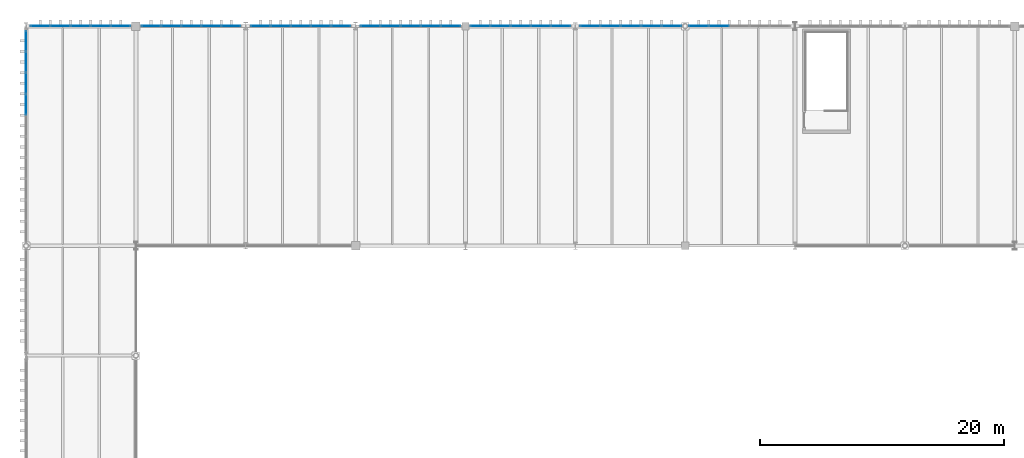
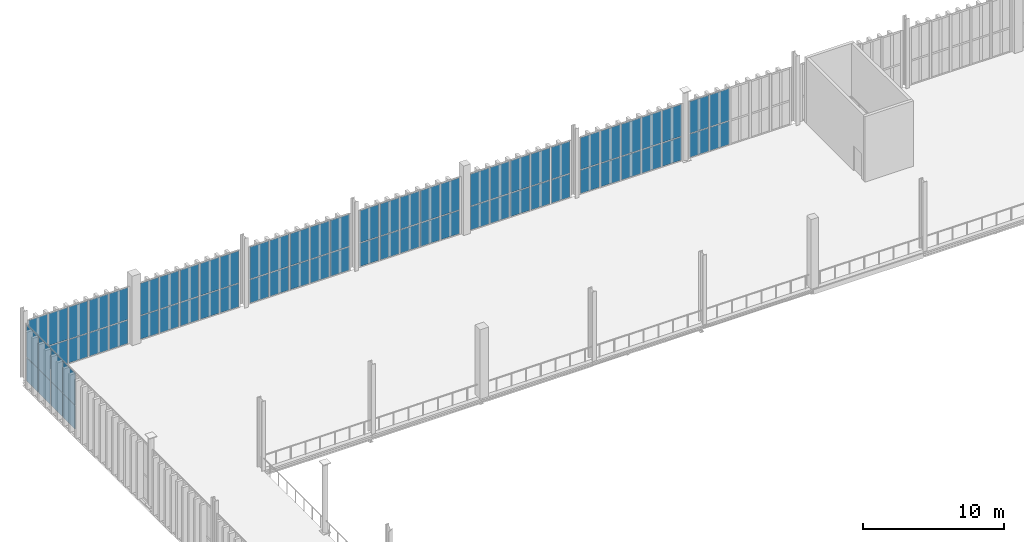
# One storey, part 167 of 211: 72 plates, 8 elements without a shape of their own.
"""IFC4 building model written with IfcOpenShell, lengths in metres."""

from ifc_helpers import new_model, si_unit, direction, frame, origin, origin_2d, place, context, subcontext, project, spatial, rectangle, extrude, material, layer, layer_set, type_object, element, aggregate, save


model = new_model("IFC4")

# Units and contexts
model_context = context("Model", 3, precision=1e-05, world=origin(), true_north=direction((0.0, 1.0)))
body_context = subcontext(model_context, "Body", "Model", "MODEL_VIEW")
ifc_project = project(units=[si_unit("LENGTHUNIT", "METRE"), si_unit("AREAUNIT", "SQUARE_METRE"), si_unit("VOLUMEUNIT", "CUBIC_METRE"), si_unit("PLANEANGLEUNIT", "RADIAN"), si_unit("MASSUNIT", "GRAM", prefix="KILO")], contexts=[model_context])

# Site, building, storey
site_placement = place(None, origin())
site = spatial("IfcSite", under=ifc_project, at=site_placement, CompositionType="ELEMENT")
building_placement = place(site_placement, origin())
building = spatial("IfcBuilding", under=site, at=building_placement, Name="Barlavento Convention Centre", CompositionType="ELEMENT")
storey_placement = place(building_placement, frame((0.0, 0.0, 6.0)))
storey = spatial("IfcBuildingStorey", under=building, at=storey_placement, Name="L01", CompositionType="ELEMENT", Elevation=6.0)

# Curtain wall, plates
ifc_material_1 = material(Name="Powder-coated aluminium and Low-E glass", Category="aluminium")
ifc_layer_1 = layer(ifc_material_1, 0.179931640625)
ifc_layer_set_1 = layer_set([ifc_layer_1], Name="ARC-CW-EXH-L01")
curtain_wall_type = type_object("IfcCurtainWallType", Name="ARC-CW-EXH-L01", PredefinedType="NOTDEFINED", material=ifc_layer_set_1)
curtain_wall_1_placement = place(storey_placement, origin())
curtain_wall_1 = element("IfcCurtainWall", 1, at=curtain_wall_1_placement, inside=storey, type_object=curtain_wall_type, Name="L01 unitised curtain wall CW04", PredefinedType="NOTDEFINED")
ifc_material_2 = material(Name="Double-silver Low-E insulated glass", Category="glass")
ifc_layer_2 = layer(ifc_material_2, 0.028076171875)
ifc_layer_set_2 = layer_set([ifc_layer_2], Name="ARC-CWP-GLZ28")
plate_type = type_object("IfcPlateType", Name="ARC-CWP-GLZ28", PredefinedType="CURTAIN_PANEL", material=ifc_layer_set_2)
plate_1_placement = place(storey_placement, frame((0.0, 128.576904296875, 0.06005859375), z_axis=(0.0, 0.0, 1.0), x_axis=(0.0, 1.0, 0.0)))
plate_1 = element("IfcPlate", 2, at=plate_1_placement, type_object=plate_type, Name="CW04 panel 7.1", PredefinedType="CURTAIN_PANEL", context=body_context, shape_type="SweptSolid", body=[
    extrude(rectangle(XDim=1.67236328125, YDim=0.028076171875, at=origin_2d()), origin(), (0.0, 0.0, 1.0), 2.010009765625),
])
plate_2_placement = place(storey_placement, frame((0.0, 128.576904296875, 2.1298828125), z_axis=(0.0, 0.0, 1.0), x_axis=(0.0, 1.0, 0.0)))
plate_2 = element("IfcPlate", 3, at=plate_2_placement, type_object=plate_type, Name="CW04 panel 7.2", PredefinedType="CURTAIN_PANEL", context=body_context, shape_type="SweptSolid", body=[
    extrude(rectangle(XDim=1.67236328125, YDim=0.028076171875, at=origin_2d()), origin(), (0.0, 0.0, 1.0), 2.760009765625),
])
plate_3_placement = place(storey_placement, frame((0.0, 130.314208984375, 0.06005859375), z_axis=(0.0, 0.0, 1.0), x_axis=(0.0, 1.0, 0.0)))
plate_3 = element("IfcPlate", 4, at=plate_3_placement, type_object=plate_type, Name="CW04 panel 8.1", PredefinedType="CURTAIN_PANEL", context=body_context, shape_type="SweptSolid", body=[
    extrude(rectangle(XDim=1.67236328125, YDim=0.028076171875, at=origin_2d()), origin(), (0.0, 0.0, 1.0), 2.010009765625),
])
plate_4_placement = place(storey_placement, frame((0.0, 130.314208984375, 2.1298828125), z_axis=(0.0, 0.0, 1.0), x_axis=(0.0, 1.0, 0.0)))
plate_4 = element("IfcPlate", 5, at=plate_4_placement, type_object=plate_type, Name="CW04 panel 8.2", PredefinedType="CURTAIN_PANEL", context=body_context, shape_type="SweptSolid", body=[
    extrude(rectangle(XDim=1.67236328125, YDim=0.028076171875, at=origin_2d()), origin(), (0.0, 0.0, 1.0), 2.760009765625),
])
plate_5_placement = place(storey_placement, frame((0.0, 132.0517578125, 0.06005859375), z_axis=(0.0, 0.0, 1.0), x_axis=(0.0, 1.0, 0.0)))
plate_5 = element("IfcPlate", 6, at=plate_5_placement, type_object=plate_type, Name="CW04 panel 9.1", PredefinedType="CURTAIN_PANEL", context=body_context, shape_type="SweptSolid", body=[
    extrude(rectangle(XDim=1.67236328125, YDim=0.028076171875, at=origin_2d()), origin(), (0.0, 0.0, 1.0), 2.010009765625),
])
plate_6_placement = place(storey_placement, frame((0.0, 132.0517578125, 2.1298828125), z_axis=(0.0, 0.0, 1.0), x_axis=(0.0, 1.0, 0.0)))
plate_6 = element("IfcPlate", 7, at=plate_6_placement, type_object=plate_type, Name="CW04 panel 9.2", PredefinedType="CURTAIN_PANEL", context=body_context, shape_type="SweptSolid", body=[
    extrude(rectangle(XDim=1.67236328125, YDim=0.028076171875, at=origin_2d()), origin(), (0.0, 0.0, 1.0), 2.760009765625),
])
plate_7_placement = place(storey_placement, frame((0.0, 133.77294921875, 0.06005859375), z_axis=(0.0, 0.0, 1.0), x_axis=(0.0, 1.0, 0.0)))
plate_7 = element("IfcPlate", 8, at=plate_7_placement, type_object=plate_type, Name="CW04 panel 10.1", PredefinedType="CURTAIN_PANEL", context=body_context, shape_type="SweptSolid", body=[
    extrude(rectangle(XDim=1.639892578125, YDim=0.028076171875, at=origin_2d()), origin(), (0.0, 0.0, 1.0), 2.010009765625),
])
plate_8_placement = place(storey_placement, frame((0.0, 133.77294921875, 2.1298828125), z_axis=(0.0, 0.0, 1.0), x_axis=(0.0, 1.0, 0.0)))
plate_8 = element("IfcPlate", 9, at=plate_8_placement, type_object=plate_type, Name="CW04 panel 10.2", PredefinedType="CURTAIN_PANEL", context=body_context, shape_type="SweptSolid", body=[
    extrude(rectangle(XDim=1.639892578125, YDim=0.028076171875, at=origin_2d()), origin(), (0.0, 0.0, 1.0), 2.760009765625),
])
aggregate(curtain_wall_1, [plate_1, plate_2, plate_3, plate_4, plate_5, plate_6, plate_7, plate_8])

curtain_wall_2_placement = place(storey_placement, origin())
curtain_wall_2 = element("IfcCurtainWall", 10, at=curtain_wall_2_placement, inside=storey, type_object=curtain_wall_type, Name="L01 unitised curtain wall CW04", PredefinedType="NOTDEFINED")
plate_9_placement = place(storey_placement, frame((1.171875, 135.0, 0.06005859375), z_axis=(0.0, 0.0, 1.0), x_axis=(1.0, 0.0, 0.0)))
plate_9 = element("IfcPlate", 11, at=plate_9_placement, type_object=plate_type, Name="CW04 panel 1.1", PredefinedType="CURTAIN_PANEL", context=body_context, shape_type="SweptSolid", body=[
    extrude(rectangle(XDim=1.5595703125, YDim=0.028076171875, at=origin_2d()), origin(), (0.0, 0.0, 1.0), 2.010009765625),
])
plate_10_placement = place(storey_placement, frame((1.171875, 135.0, 2.1298828125), z_axis=(0.0, 0.0, 1.0), x_axis=(1.0, 0.0, 0.0)))
plate_10 = element("IfcPlate", 12, at=plate_10_placement, type_object=plate_type, Name="CW04 panel 1.2", PredefinedType="CURTAIN_PANEL", context=body_context, shape_type="SweptSolid", body=[
    extrude(rectangle(XDim=1.5595703125, YDim=0.028076171875, at=origin_2d()), origin(), (0.0, 0.0, 1.0), 2.760009765625),
])
plate_11_placement = place(storey_placement, frame((2.806396484375, 135.0, 0.06005859375), z_axis=(0.0, 0.0, 1.0), x_axis=(1.0, 0.0, 0.0)))
plate_11 = element("IfcPlate", 13, at=plate_11_placement, type_object=plate_type, Name="CW04 panel 2.1", PredefinedType="CURTAIN_PANEL", context=body_context, shape_type="SweptSolid", body=[
    extrude(rectangle(XDim=1.589599609375, YDim=0.028076171875, at=origin_2d()), origin(), (0.0, 0.0, 1.0), 2.010009765625),
])
plate_12_placement = place(storey_placement, frame((2.806396484375, 135.0, 2.1298828125), z_axis=(0.0, 0.0, 1.0), x_axis=(1.0, 0.0, 0.0)))
plate_12 = element("IfcPlate", 14, at=plate_12_placement, type_object=plate_type, Name="CW04 panel 2.2", PredefinedType="CURTAIN_PANEL", context=body_context, shape_type="SweptSolid", body=[
    extrude(rectangle(XDim=1.589599609375, YDim=0.028076171875, at=origin_2d()), origin(), (0.0, 0.0, 1.0), 2.760009765625),
])
plate_13_placement = place(storey_placement, frame((4.4560546875, 135.0, 0.06005859375), z_axis=(0.0, 0.0, 1.0), x_axis=(1.0, 0.0, 0.0)))
plate_13 = element("IfcPlate", 15, at=plate_13_placement, type_object=plate_type, Name="CW04 panel 3.1", PredefinedType="CURTAIN_PANEL", context=body_context, shape_type="SweptSolid", body=[
    extrude(rectangle(XDim=1.589599609375, YDim=0.028076171875, at=origin_2d()), origin(), (0.0, 0.0, 1.0), 2.010009765625),
])
plate_14_placement = place(storey_placement, frame((4.4560546875, 135.0, 2.1298828125), z_axis=(0.0, 0.0, 1.0), x_axis=(1.0, 0.0, 0.0)))
plate_14 = element("IfcPlate", 16, at=plate_14_placement, type_object=plate_type, Name="CW04 panel 3.2", PredefinedType="CURTAIN_PANEL", context=body_context, shape_type="SweptSolid", body=[
    extrude(rectangle(XDim=1.589599609375, YDim=0.028076171875, at=origin_2d()), origin(), (0.0, 0.0, 1.0), 2.760009765625),
])
plate_15_placement = place(storey_placement, frame((6.105712890625, 135.0, 0.06005859375), z_axis=(0.0, 0.0, 1.0), x_axis=(1.0, 0.0, 0.0)))
plate_15 = element("IfcPlate", 17, at=plate_15_placement, type_object=plate_type, Name="CW04 panel 4.1", PredefinedType="CURTAIN_PANEL", context=body_context, shape_type="SweptSolid", body=[
    extrude(rectangle(XDim=1.589599609375, YDim=0.028076171875, at=origin_2d()), origin(), (0.0, 0.0, 1.0), 2.010009765625),
])
plate_16_placement = place(storey_placement, frame((6.105712890625, 135.0, 2.1298828125), z_axis=(0.0, 0.0, 1.0), x_axis=(1.0, 0.0, 0.0)))
plate_16 = element("IfcPlate", 18, at=plate_16_placement, type_object=plate_type, Name="CW04 panel 4.2", PredefinedType="CURTAIN_PANEL", context=body_context, shape_type="SweptSolid", body=[
    extrude(rectangle(XDim=1.589599609375, YDim=0.028076171875, at=origin_2d()), origin(), (0.0, 0.0, 1.0), 2.760009765625),
])
plate_17_placement = place(storey_placement, frame((7.740234375, 135.0, 0.06005859375), z_axis=(0.0, 0.0, 1.0), x_axis=(1.0, 0.0, 0.0)))
plate_17 = element("IfcPlate", 19, at=plate_17_placement, type_object=plate_type, Name="CW04 panel 5.1", PredefinedType="CURTAIN_PANEL", context=body_context, shape_type="SweptSolid", body=[
    extrude(rectangle(XDim=1.5595703125, YDim=0.028076171875, at=origin_2d()), origin(), (0.0, 0.0, 1.0), 2.010009765625),
])
plate_18_placement = place(storey_placement, frame((7.740234375, 135.0, 2.1298828125), z_axis=(0.0, 0.0, 1.0), x_axis=(1.0, 0.0, 0.0)))
plate_18 = element("IfcPlate", 20, at=plate_18_placement, type_object=plate_type, Name="CW04 panel 5.2", PredefinedType="CURTAIN_PANEL", context=body_context, shape_type="SweptSolid", body=[
    extrude(rectangle(XDim=1.5595703125, YDim=0.028076171875, at=origin_2d()), origin(), (0.0, 0.0, 1.0), 2.760009765625),
])
aggregate(curtain_wall_2, [plate_9, plate_10, plate_11, plate_12, plate_13, plate_14, plate_15, plate_16, plate_17, plate_18])

curtain_wall_3_placement = place(storey_placement, origin())
curtain_wall_3 = element("IfcCurtainWall", 21, at=curtain_wall_3_placement, inside=storey, type_object=curtain_wall_type, Name="L01 unitised curtain wall CW04", PredefinedType="NOTDEFINED")
plate_19_placement = place(storey_placement, frame((10.2548828125, 135.0, 0.06005859375), z_axis=(0.0, 0.0, 1.0), x_axis=(1.0, 0.0, 0.0)))
plate_19 = element("IfcPlate", 22, at=plate_19_placement, type_object=plate_type, Name="CW04 panel 1.1", PredefinedType="CURTAIN_PANEL", context=body_context, shape_type="SweptSolid", body=[
    extrude(rectangle(XDim=1.550048828125, YDim=0.028076171875, at=origin_2d()), origin(), (0.0, 0.0, 1.0), 2.010009765625),
])
plate_20_placement = place(storey_placement, frame((10.2548828125, 135.0, 2.1298828125), z_axis=(0.0, 0.0, 1.0), x_axis=(1.0, 0.0, 0.0)))
plate_20 = element("IfcPlate", 23, at=plate_20_placement, type_object=plate_type, Name="CW04 panel 1.2", PredefinedType="CURTAIN_PANEL", context=body_context, shape_type="SweptSolid", body=[
    extrude(rectangle(XDim=1.550048828125, YDim=0.028076171875, at=origin_2d()), origin(), (0.0, 0.0, 1.0), 2.760009765625),
])
plate_21_placement = place(storey_placement, frame((11.8798828125, 135.0, 0.06005859375), z_axis=(0.0, 0.0, 1.0), x_axis=(1.0, 0.0, 0.0)))
plate_21 = element("IfcPlate", 24, at=plate_21_placement, type_object=plate_type, Name="CW04 panel 2.1", PredefinedType="CURTAIN_PANEL", context=body_context, shape_type="SweptSolid", body=[
    extrude(rectangle(XDim=1.580078125, YDim=0.028076171875, at=origin_2d()), origin(), (0.0, 0.0, 1.0), 2.010009765625),
])
plate_22_placement = place(storey_placement, frame((11.8798828125, 135.0, 2.1298828125), z_axis=(0.0, 0.0, 1.0), x_axis=(1.0, 0.0, 0.0)))
plate_22 = element("IfcPlate", 25, at=plate_22_placement, type_object=plate_type, Name="CW04 panel 2.2", PredefinedType="CURTAIN_PANEL", context=body_context, shape_type="SweptSolid", body=[
    extrude(rectangle(XDim=1.580078125, YDim=0.028076171875, at=origin_2d()), origin(), (0.0, 0.0, 1.0), 2.760009765625),
])
plate_23_placement = place(storey_placement, frame((13.52001953125, 135.0, 0.06005859375), z_axis=(0.0, 0.0, 1.0), x_axis=(1.0, 0.0, 0.0)))
plate_23 = element("IfcPlate", 26, at=plate_23_placement, type_object=plate_type, Name="CW04 panel 3.1", PredefinedType="CURTAIN_PANEL", context=body_context, shape_type="SweptSolid", body=[
    extrude(rectangle(XDim=1.580078125, YDim=0.028076171875, at=origin_2d()), origin(), (0.0, 0.0, 1.0), 2.010009765625),
])
plate_24_placement = place(storey_placement, frame((13.52001953125, 135.0, 2.1298828125), z_axis=(0.0, 0.0, 1.0), x_axis=(1.0, 0.0, 0.0)))
plate_24 = element("IfcPlate", 27, at=plate_24_placement, type_object=plate_type, Name="CW04 panel 3.2", PredefinedType="CURTAIN_PANEL", context=body_context, shape_type="SweptSolid", body=[
    extrude(rectangle(XDim=1.580078125, YDim=0.028076171875, at=origin_2d()), origin(), (0.0, 0.0, 1.0), 2.760009765625),
])
plate_25_placement = place(storey_placement, frame((15.159912109375, 135.0, 0.06005859375), z_axis=(0.0, 0.0, 1.0), x_axis=(1.0, 0.0, 0.0)))
plate_25 = element("IfcPlate", 28, at=plate_25_placement, type_object=plate_type, Name="CW04 panel 4.1", PredefinedType="CURTAIN_PANEL", context=body_context, shape_type="SweptSolid", body=[
    extrude(rectangle(XDim=1.580078125, YDim=0.028076171875, at=origin_2d()), origin(), (0.0, 0.0, 1.0), 2.010009765625),
])
plate_26_placement = place(storey_placement, frame((15.159912109375, 135.0, 2.1298828125), z_axis=(0.0, 0.0, 1.0), x_axis=(1.0, 0.0, 0.0)))
plate_26 = element("IfcPlate", 29, at=plate_26_placement, type_object=plate_type, Name="CW04 panel 4.2", PredefinedType="CURTAIN_PANEL", context=body_context, shape_type="SweptSolid", body=[
    extrude(rectangle(XDim=1.580078125, YDim=0.028076171875, at=origin_2d()), origin(), (0.0, 0.0, 1.0), 2.760009765625),
])
plate_27_placement = place(storey_placement, frame((16.784912109375, 135.0, 0.06005859375), z_axis=(0.0, 0.0, 1.0), x_axis=(1.0, 0.0, 0.0)))
plate_27 = element("IfcPlate", 30, at=plate_27_placement, type_object=plate_type, Name="CW04 panel 5.1", PredefinedType="CURTAIN_PANEL", context=body_context, shape_type="SweptSolid", body=[
    extrude(rectangle(XDim=1.550048828125, YDim=0.028076171875, at=origin_2d()), origin(), (0.0, 0.0, 1.0), 2.010009765625),
])
plate_28_placement = place(storey_placement, frame((16.784912109375, 135.0, 2.1298828125), z_axis=(0.0, 0.0, 1.0), x_axis=(1.0, 0.0, 0.0)))
plate_28 = element("IfcPlate", 31, at=plate_28_placement, type_object=plate_type, Name="CW04 panel 5.2", PredefinedType="CURTAIN_PANEL", context=body_context, shape_type="SweptSolid", body=[
    extrude(rectangle(XDim=1.550048828125, YDim=0.028076171875, at=origin_2d()), origin(), (0.0, 0.0, 1.0), 2.760009765625),
])
aggregate(curtain_wall_3, [plate_19, plate_20, plate_21, plate_22, plate_23, plate_24, plate_25, plate_26, plate_27, plate_28])

curtain_wall_4_placement = place(storey_placement, origin())
curtain_wall_4 = element("IfcCurtainWall", 32, at=curtain_wall_4_placement, inside=storey, type_object=curtain_wall_type, Name="L01 unitised curtain wall CW04", PredefinedType="NOTDEFINED")
plate_29_placement = place(storey_placement, frame((19.219970703125, 135.0, 0.06005859375), z_axis=(0.0, 0.0, 1.0), x_axis=(1.0, 0.0, 0.0)))
plate_29 = element("IfcPlate", 33, at=plate_29_placement, type_object=plate_type, Name="CW04 panel 1.1", PredefinedType="CURTAIN_PANEL", context=body_context, shape_type="SweptSolid", body=[
    extrude(rectangle(XDim=1.56005859375, YDim=0.028076171875, at=origin_2d()), origin(), (0.0, 0.0, 1.0), 2.010009765625),
])
plate_30_placement = place(storey_placement, frame((19.219970703125, 135.0, 2.1298828125), z_axis=(0.0, 0.0, 1.0), x_axis=(1.0, 0.0, 0.0)))
plate_30 = element("IfcPlate", 34, at=plate_30_placement, type_object=plate_type, Name="CW04 panel 1.2", PredefinedType="CURTAIN_PANEL", context=body_context, shape_type="SweptSolid", body=[
    extrude(rectangle(XDim=1.56005859375, YDim=0.028076171875, at=origin_2d()), origin(), (0.0, 0.0, 1.0), 2.760009765625),
])
plate_31_placement = place(storey_placement, frame((20.85498046875, 135.0, 0.06005859375), z_axis=(0.0, 0.0, 1.0), x_axis=(1.0, 0.0, 0.0)))
plate_31 = element("IfcPlate", 35, at=plate_31_placement, type_object=plate_type, Name="CW04 panel 2.1", PredefinedType="CURTAIN_PANEL", context=body_context, shape_type="SweptSolid", body=[
    extrude(rectangle(XDim=1.590087890625, YDim=0.028076171875, at=origin_2d()), origin(), (0.0, 0.0, 1.0), 2.010009765625),
])
plate_32_placement = place(storey_placement, frame((20.85498046875, 135.0, 2.1298828125), z_axis=(0.0, 0.0, 1.0), x_axis=(1.0, 0.0, 0.0)))
plate_32 = element("IfcPlate", 36, at=plate_32_placement, type_object=plate_type, Name="CW04 panel 2.2", PredefinedType="CURTAIN_PANEL", context=body_context, shape_type="SweptSolid", body=[
    extrude(rectangle(XDim=1.590087890625, YDim=0.028076171875, at=origin_2d()), origin(), (0.0, 0.0, 1.0), 2.760009765625),
])
plate_33_placement = place(storey_placement, frame((22.5048828125, 135.0, 0.06005859375), z_axis=(0.0, 0.0, 1.0), x_axis=(1.0, 0.0, 0.0)))
plate_33 = element("IfcPlate", 37, at=plate_33_placement, type_object=plate_type, Name="CW04 panel 3.1", PredefinedType="CURTAIN_PANEL", context=body_context, shape_type="SweptSolid", body=[
    extrude(rectangle(XDim=1.590087890625, YDim=0.028076171875, at=origin_2d()), origin(), (0.0, 0.0, 1.0), 2.010009765625),
])
plate_34_placement = place(storey_placement, frame((22.5048828125, 135.0, 2.1298828125), z_axis=(0.0, 0.0, 1.0), x_axis=(1.0, 0.0, 0.0)))
plate_34 = element("IfcPlate", 38, at=plate_34_placement, type_object=plate_type, Name="CW04 panel 3.2", PredefinedType="CURTAIN_PANEL", context=body_context, shape_type="SweptSolid", body=[
    extrude(rectangle(XDim=1.590087890625, YDim=0.028076171875, at=origin_2d()), origin(), (0.0, 0.0, 1.0), 2.760009765625),
])
plate_35_placement = place(storey_placement, frame((24.155029296875, 135.0, 0.06005859375), z_axis=(0.0, 0.0, 1.0), x_axis=(1.0, 0.0, 0.0)))
plate_35 = element("IfcPlate", 39, at=plate_35_placement, type_object=plate_type, Name="CW04 panel 4.1", PredefinedType="CURTAIN_PANEL", context=body_context, shape_type="SweptSolid", body=[
    extrude(rectangle(XDim=1.590087890625, YDim=0.028076171875, at=origin_2d()), origin(), (0.0, 0.0, 1.0), 2.010009765625),
])
plate_36_placement = place(storey_placement, frame((24.155029296875, 135.0, 2.1298828125), z_axis=(0.0, 0.0, 1.0), x_axis=(1.0, 0.0, 0.0)))
plate_36 = element("IfcPlate", 40, at=plate_36_placement, type_object=plate_type, Name="CW04 panel 4.2", PredefinedType="CURTAIN_PANEL", context=body_context, shape_type="SweptSolid", body=[
    extrude(rectangle(XDim=1.590087890625, YDim=0.028076171875, at=origin_2d()), origin(), (0.0, 0.0, 1.0), 2.760009765625),
])
plate_37_placement = place(storey_placement, frame((25.7900390625, 135.0, 0.06005859375), z_axis=(0.0, 0.0, 1.0), x_axis=(1.0, 0.0, 0.0)))
plate_37 = element("IfcPlate", 41, at=plate_37_placement, type_object=plate_type, Name="CW04 panel 5.1", PredefinedType="CURTAIN_PANEL", context=body_context, shape_type="SweptSolid", body=[
    extrude(rectangle(XDim=1.56005859375, YDim=0.028076171875, at=origin_2d()), origin(), (0.0, 0.0, 1.0), 2.010009765625),
])
plate_38_placement = place(storey_placement, frame((25.7900390625, 135.0, 2.1298828125), z_axis=(0.0, 0.0, 1.0), x_axis=(1.0, 0.0, 0.0)))
plate_38 = element("IfcPlate", 42, at=plate_38_placement, type_object=plate_type, Name="CW04 panel 5.2", PredefinedType="CURTAIN_PANEL", context=body_context, shape_type="SweptSolid", body=[
    extrude(rectangle(XDim=1.56005859375, YDim=0.028076171875, at=origin_2d()), origin(), (0.0, 0.0, 1.0), 2.760009765625),
])
aggregate(curtain_wall_4, [plate_29, plate_30, plate_31, plate_32, plate_33, plate_34, plate_35, plate_36, plate_37, plate_38])

curtain_wall_5_placement = place(storey_placement, origin())
curtain_wall_5 = element("IfcCurtainWall", 43, at=curtain_wall_5_placement, inside=storey, type_object=curtain_wall_type, Name="L01 unitised curtain wall CW04", PredefinedType="NOTDEFINED")
plate_39_placement = place(storey_placement, frame((28.2109375, 135.0, 0.06005859375), z_axis=(0.0, 0.0, 1.0), x_axis=(1.0, 0.0, 0.0)))
plate_39 = element("IfcPlate", 44, at=plate_39_placement, type_object=plate_type, Name="CW04 panel 1.1", PredefinedType="CURTAIN_PANEL", context=body_context, shape_type="SweptSolid", body=[
    extrude(rectangle(XDim=1.56201171875, YDim=0.028076171875, at=origin_2d()), origin(), (0.0, 0.0, 1.0), 2.010009765625),
])
plate_40_placement = place(storey_placement, frame((28.2109375, 135.0, 2.1298828125), z_axis=(0.0, 0.0, 1.0), x_axis=(1.0, 0.0, 0.0)))
plate_40 = element("IfcPlate", 45, at=plate_40_placement, type_object=plate_type, Name="CW04 panel 1.2", PredefinedType="CURTAIN_PANEL", context=body_context, shape_type="SweptSolid", body=[
    extrude(rectangle(XDim=1.56201171875, YDim=0.028076171875, at=origin_2d()), origin(), (0.0, 0.0, 1.0), 2.760009765625),
])
plate_41_placement = place(storey_placement, frame((29.847900390625, 135.0, 0.06005859375), z_axis=(0.0, 0.0, 1.0), x_axis=(1.0, 0.0, 0.0)))
plate_41 = element("IfcPlate", 46, at=plate_41_placement, type_object=plate_type, Name="CW04 panel 2.1", PredefinedType="CURTAIN_PANEL", context=body_context, shape_type="SweptSolid", body=[
    extrude(rectangle(XDim=1.592041015625, YDim=0.028076171875, at=origin_2d()), origin(), (0.0, 0.0, 1.0), 2.010009765625),
])
plate_42_placement = place(storey_placement, frame((29.847900390625, 135.0, 2.1298828125), z_axis=(0.0, 0.0, 1.0), x_axis=(1.0, 0.0, 0.0)))
plate_42 = element("IfcPlate", 47, at=plate_42_placement, type_object=plate_type, Name="CW04 panel 2.2", PredefinedType="CURTAIN_PANEL", context=body_context, shape_type="SweptSolid", body=[
    extrude(rectangle(XDim=1.592041015625, YDim=0.028076171875, at=origin_2d()), origin(), (0.0, 0.0, 1.0), 2.760009765625),
])
plate_43_placement = place(storey_placement, frame((31.5, 135.0, 0.06005859375), z_axis=(0.0, 0.0, 1.0), x_axis=(1.0, 0.0, 0.0)))
plate_43 = element("IfcPlate", 48, at=plate_43_placement, type_object=plate_type, Name="CW04 panel 3.1", PredefinedType="CURTAIN_PANEL", context=body_context, shape_type="SweptSolid", body=[
    extrude(rectangle(XDim=1.592041015625, YDim=0.028076171875, at=origin_2d()), origin(), (0.0, 0.0, 1.0), 2.010009765625),
])
plate_44_placement = place(storey_placement, frame((31.5, 135.0, 2.1298828125), z_axis=(0.0, 0.0, 1.0), x_axis=(1.0, 0.0, 0.0)))
plate_44 = element("IfcPlate", 49, at=plate_44_placement, type_object=plate_type, Name="CW04 panel 3.2", PredefinedType="CURTAIN_PANEL", context=body_context, shape_type="SweptSolid", body=[
    extrude(rectangle(XDim=1.592041015625, YDim=0.028076171875, at=origin_2d()), origin(), (0.0, 0.0, 1.0), 2.760009765625),
])
plate_45_placement = place(storey_placement, frame((33.152099609375, 135.0, 0.06005859375), z_axis=(0.0, 0.0, 1.0), x_axis=(1.0, 0.0, 0.0)))
plate_45 = element("IfcPlate", 50, at=plate_45_placement, type_object=plate_type, Name="CW04 panel 4.1", PredefinedType="CURTAIN_PANEL", context=body_context, shape_type="SweptSolid", body=[
    extrude(rectangle(XDim=1.592041015625, YDim=0.028076171875, at=origin_2d()), origin(), (0.0, 0.0, 1.0), 2.010009765625),
])
plate_46_placement = place(storey_placement, frame((33.152099609375, 135.0, 2.1298828125), z_axis=(0.0, 0.0, 1.0), x_axis=(1.0, 0.0, 0.0)))
plate_46 = element("IfcPlate", 51, at=plate_46_placement, type_object=plate_type, Name="CW04 panel 4.2", PredefinedType="CURTAIN_PANEL", context=body_context, shape_type="SweptSolid", body=[
    extrude(rectangle(XDim=1.592041015625, YDim=0.028076171875, at=origin_2d()), origin(), (0.0, 0.0, 1.0), 2.760009765625),
])
plate_47_placement = place(storey_placement, frame((34.7890625, 135.0, 0.06005859375), z_axis=(0.0, 0.0, 1.0), x_axis=(1.0, 0.0, 0.0)))
plate_47 = element("IfcPlate", 52, at=plate_47_placement, type_object=plate_type, Name="CW04 panel 5.1", PredefinedType="CURTAIN_PANEL", context=body_context, shape_type="SweptSolid", body=[
    extrude(rectangle(XDim=1.56201171875, YDim=0.028076171875, at=origin_2d()), origin(), (0.0, 0.0, 1.0), 2.010009765625),
])
plate_48_placement = place(storey_placement, frame((34.7890625, 135.0, 2.1298828125), z_axis=(0.0, 0.0, 1.0), x_axis=(1.0, 0.0, 0.0)))
plate_48 = element("IfcPlate", 53, at=plate_48_placement, type_object=plate_type, Name="CW04 panel 5.2", PredefinedType="CURTAIN_PANEL", context=body_context, shape_type="SweptSolid", body=[
    extrude(rectangle(XDim=1.56201171875, YDim=0.028076171875, at=origin_2d()), origin(), (0.0, 0.0, 1.0), 2.760009765625),
])
aggregate(curtain_wall_5, [plate_39, plate_40, plate_41, plate_42, plate_43, plate_44, plate_45, plate_46, plate_47, plate_48])

curtain_wall_6_placement = place(storey_placement, origin())
curtain_wall_6 = element("IfcCurtainWall", 54, at=curtain_wall_6_placement, inside=storey, type_object=curtain_wall_type, Name="L01 unitised curtain wall CW04", PredefinedType="NOTDEFINED")
plate_49_placement = place(storey_placement, frame((37.21240234375, 135.0, 0.06005859375), z_axis=(0.0, 0.0, 1.0), x_axis=(1.0, 0.0, 0.0)))
plate_49 = element("IfcPlate", 55, at=plate_49_placement, type_object=plate_type, Name="CW04 panel 1.1", PredefinedType="CURTAIN_PANEL", context=body_context, shape_type="SweptSolid", body=[
    extrude(rectangle(XDim=1.564697265625, YDim=0.028076171875, at=origin_2d()), origin(), (0.0, 0.0, 1.0), 2.010009765625),
])
plate_50_placement = place(storey_placement, frame((37.21240234375, 135.0, 2.1298828125), z_axis=(0.0, 0.0, 1.0), x_axis=(1.0, 0.0, 0.0)))
plate_50 = element("IfcPlate", 56, at=plate_50_placement, type_object=plate_type, Name="CW04 panel 1.2", PredefinedType="CURTAIN_PANEL", context=body_context, shape_type="SweptSolid", body=[
    extrude(rectangle(XDim=1.564697265625, YDim=0.028076171875, at=origin_2d()), origin(), (0.0, 0.0, 1.0), 2.760009765625),
])
plate_51_placement = place(storey_placement, frame((38.852294921875, 135.0, 0.06005859375), z_axis=(0.0, 0.0, 1.0), x_axis=(1.0, 0.0, 0.0)))
plate_51 = element("IfcPlate", 57, at=plate_51_placement, type_object=plate_type, Name="CW04 panel 2.1", PredefinedType="CURTAIN_PANEL", context=body_context, shape_type="SweptSolid", body=[
    extrude(rectangle(XDim=1.5947265625, YDim=0.028076171875, at=origin_2d()), origin(), (0.0, 0.0, 1.0), 2.010009765625),
])
plate_52_placement = place(storey_placement, frame((38.852294921875, 135.0, 2.1298828125), z_axis=(0.0, 0.0, 1.0), x_axis=(1.0, 0.0, 0.0)))
plate_52 = element("IfcPlate", 58, at=plate_52_placement, type_object=plate_type, Name="CW04 panel 2.2", PredefinedType="CURTAIN_PANEL", context=body_context, shape_type="SweptSolid", body=[
    extrude(rectangle(XDim=1.5947265625, YDim=0.028076171875, at=origin_2d()), origin(), (0.0, 0.0, 1.0), 2.760009765625),
])
plate_53_placement = place(storey_placement, frame((40.507080078125, 135.0, 0.06005859375), z_axis=(0.0, 0.0, 1.0), x_axis=(1.0, 0.0, 0.0)))
plate_53 = element("IfcPlate", 59, at=plate_53_placement, type_object=plate_type, Name="CW04 panel 3.1", PredefinedType="CURTAIN_PANEL", context=body_context, shape_type="SweptSolid", body=[
    extrude(rectangle(XDim=1.5947265625, YDim=0.028076171875, at=origin_2d()), origin(), (0.0, 0.0, 1.0), 2.010009765625),
])
plate_54_placement = place(storey_placement, frame((40.507080078125, 135.0, 2.1298828125), z_axis=(0.0, 0.0, 1.0), x_axis=(1.0, 0.0, 0.0)))
plate_54 = element("IfcPlate", 60, at=plate_54_placement, type_object=plate_type, Name="CW04 panel 3.2", PredefinedType="CURTAIN_PANEL", context=body_context, shape_type="SweptSolid", body=[
    extrude(rectangle(XDim=1.5947265625, YDim=0.028076171875, at=origin_2d()), origin(), (0.0, 0.0, 1.0), 2.760009765625),
])
plate_55_placement = place(storey_placement, frame((42.161865234375, 135.0, 0.06005859375), z_axis=(0.0, 0.0, 1.0), x_axis=(1.0, 0.0, 0.0)))
plate_55 = element("IfcPlate", 61, at=plate_55_placement, type_object=plate_type, Name="CW04 panel 4.1", PredefinedType="CURTAIN_PANEL", context=body_context, shape_type="SweptSolid", body=[
    extrude(rectangle(XDim=1.5947265625, YDim=0.028076171875, at=origin_2d()), origin(), (0.0, 0.0, 1.0), 2.010009765625),
])
plate_56_placement = place(storey_placement, frame((42.161865234375, 135.0, 2.1298828125), z_axis=(0.0, 0.0, 1.0), x_axis=(1.0, 0.0, 0.0)))
plate_56 = element("IfcPlate", 62, at=plate_56_placement, type_object=plate_type, Name="CW04 panel 4.2", PredefinedType="CURTAIN_PANEL", context=body_context, shape_type="SweptSolid", body=[
    extrude(rectangle(XDim=1.5947265625, YDim=0.028076171875, at=origin_2d()), origin(), (0.0, 0.0, 1.0), 2.760009765625),
])
plate_57_placement = place(storey_placement, frame((43.801513671875, 135.0, 0.06005859375), z_axis=(0.0, 0.0, 1.0), x_axis=(1.0, 0.0, 0.0)))
plate_57 = element("IfcPlate", 63, at=plate_57_placement, type_object=plate_type, Name="CW04 panel 5.1", PredefinedType="CURTAIN_PANEL", context=body_context, shape_type="SweptSolid", body=[
    extrude(rectangle(XDim=1.564697265625, YDim=0.028076171875, at=origin_2d()), origin(), (0.0, 0.0, 1.0), 2.010009765625),
])
plate_58_placement = place(storey_placement, frame((43.801513671875, 135.0, 2.1298828125), z_axis=(0.0, 0.0, 1.0), x_axis=(1.0, 0.0, 0.0)))
plate_58 = element("IfcPlate", 64, at=plate_58_placement, type_object=plate_type, Name="CW04 panel 5.2", PredefinedType="CURTAIN_PANEL", context=body_context, shape_type="SweptSolid", body=[
    extrude(rectangle(XDim=1.564697265625, YDim=0.028076171875, at=origin_2d()), origin(), (0.0, 0.0, 1.0), 2.760009765625),
])
aggregate(curtain_wall_6, [plate_49, plate_50, plate_51, plate_52, plate_53, plate_54, plate_55, plate_56, plate_57, plate_58])

curtain_wall_7_placement = place(storey_placement, origin())
curtain_wall_7 = element("IfcCurtainWall", 65, at=curtain_wall_7_placement, inside=storey, type_object=curtain_wall_type, Name="L01 unitised curtain wall CW04", PredefinedType="NOTDEFINED")
plate_59_placement = place(storey_placement, frame((46.2080078125, 135.0, 0.06005859375), z_axis=(0.0, 0.0, 1.0), x_axis=(1.0, 0.0, 0.0)))
plate_59 = element("IfcPlate", 66, at=plate_59_placement, type_object=plate_type, Name="CW04 panel 1.1", PredefinedType="CURTAIN_PANEL", context=body_context, shape_type="SweptSolid", body=[
    extrude(rectangle(XDim=1.584228515625, YDim=0.028076171875, at=origin_2d()), origin(), (0.0, 0.0, 1.0), 2.010009765625),
])
plate_60_placement = place(storey_placement, frame((46.2080078125, 135.0, 2.1298828125), z_axis=(0.0, 0.0, 1.0), x_axis=(1.0, 0.0, 0.0)))
plate_60 = element("IfcPlate", 67, at=plate_60_placement, type_object=plate_type, Name="CW04 panel 1.2", PredefinedType="CURTAIN_PANEL", context=body_context, shape_type="SweptSolid", body=[
    extrude(rectangle(XDim=1.584228515625, YDim=0.028076171875, at=origin_2d()), origin(), (0.0, 0.0, 1.0), 2.760009765625),
])
plate_61_placement = place(storey_placement, frame((47.8671875, 135.0, 0.06005859375), z_axis=(0.0, 0.0, 1.0), x_axis=(1.0, 0.0, 0.0)))
plate_61 = element("IfcPlate", 68, at=plate_61_placement, type_object=plate_type, Name="CW04 panel 2.1", PredefinedType="CURTAIN_PANEL", context=body_context, shape_type="SweptSolid", body=[
    extrude(rectangle(XDim=1.6142578125, YDim=0.028076171875, at=origin_2d()), origin(), (0.0, 0.0, 1.0), 2.010009765625),
])
plate_62_placement = place(storey_placement, frame((47.8671875, 135.0, 2.1298828125), z_axis=(0.0, 0.0, 1.0), x_axis=(1.0, 0.0, 0.0)))
plate_62 = element("IfcPlate", 69, at=plate_62_placement, type_object=plate_type, Name="CW04 panel 2.2", PredefinedType="CURTAIN_PANEL", context=body_context, shape_type="SweptSolid", body=[
    extrude(rectangle(XDim=1.6142578125, YDim=0.028076171875, at=origin_2d()), origin(), (0.0, 0.0, 1.0), 2.760009765625),
])
plate_63_placement = place(storey_placement, frame((49.54150390625, 135.0, 0.06005859375), z_axis=(0.0, 0.0, 1.0), x_axis=(1.0, 0.0, 0.0)))
plate_63 = element("IfcPlate", 70, at=plate_63_placement, type_object=plate_type, Name="CW04 panel 3.1", PredefinedType="CURTAIN_PANEL", context=body_context, shape_type="SweptSolid", body=[
    extrude(rectangle(XDim=1.6142578125, YDim=0.028076171875, at=origin_2d()), origin(), (0.0, 0.0, 1.0), 2.010009765625),
])
plate_64_placement = place(storey_placement, frame((49.54150390625, 135.0, 2.1298828125), z_axis=(0.0, 0.0, 1.0), x_axis=(1.0, 0.0, 0.0)))
plate_64 = element("IfcPlate", 71, at=plate_64_placement, type_object=plate_type, Name="CW04 panel 3.2", PredefinedType="CURTAIN_PANEL", context=body_context, shape_type="SweptSolid", body=[
    extrude(rectangle(XDim=1.6142578125, YDim=0.028076171875, at=origin_2d()), origin(), (0.0, 0.0, 1.0), 2.760009765625),
])
plate_65_placement = place(storey_placement, frame((51.215576171875, 135.0, 0.06005859375), z_axis=(0.0, 0.0, 1.0), x_axis=(1.0, 0.0, 0.0)))
plate_65 = element("IfcPlate", 72, at=plate_65_placement, type_object=plate_type, Name="CW04 panel 4.1", PredefinedType="CURTAIN_PANEL", context=body_context, shape_type="SweptSolid", body=[
    extrude(rectangle(XDim=1.6142578125, YDim=0.028076171875, at=origin_2d()), origin(), (0.0, 0.0, 1.0), 2.010009765625),
])
plate_66_placement = place(storey_placement, frame((51.215576171875, 135.0, 2.1298828125), z_axis=(0.0, 0.0, 1.0), x_axis=(1.0, 0.0, 0.0)))
plate_66 = element("IfcPlate", 73, at=plate_66_placement, type_object=plate_type, Name="CW04 panel 4.2", PredefinedType="CURTAIN_PANEL", context=body_context, shape_type="SweptSolid", body=[
    extrude(rectangle(XDim=1.6142578125, YDim=0.028076171875, at=origin_2d()), origin(), (0.0, 0.0, 1.0), 2.760009765625),
])
plate_67_placement = place(storey_placement, frame((52.874755859375, 135.0, 0.06005859375), z_axis=(0.0, 0.0, 1.0), x_axis=(1.0, 0.0, 0.0)))
plate_67 = element("IfcPlate", 74, at=plate_67_placement, type_object=plate_type, Name="CW04 panel 5.1", PredefinedType="CURTAIN_PANEL", context=body_context, shape_type="SweptSolid", body=[
    extrude(rectangle(XDim=1.584228515625, YDim=0.028076171875, at=origin_2d()), origin(), (0.0, 0.0, 1.0), 2.010009765625),
])
plate_68_placement = place(storey_placement, frame((52.874755859375, 135.0, 2.1298828125), z_axis=(0.0, 0.0, 1.0), x_axis=(1.0, 0.0, 0.0)))
plate_68 = element("IfcPlate", 75, at=plate_68_placement, type_object=plate_type, Name="CW04 panel 5.2", PredefinedType="CURTAIN_PANEL", context=body_context, shape_type="SweptSolid", body=[
    extrude(rectangle(XDim=1.584228515625, YDim=0.028076171875, at=origin_2d()), origin(), (0.0, 0.0, 1.0), 2.760009765625),
])
aggregate(curtain_wall_7, [plate_59, plate_60, plate_61, plate_62, plate_63, plate_64, plate_65, plate_66, plate_67, plate_68])

curtain_wall_8_placement = place(storey_placement, origin())
curtain_wall_8 = element("IfcCurtainWall", 76, at=curtain_wall_8_placement, inside=storey, type_object=curtain_wall_type, Name="L01 unitised curtain wall CW04", PredefinedType="NOTDEFINED")
plate_69_placement = place(storey_placement, frame((55.120361328125, 135.0, 0.06005859375), z_axis=(0.0, 0.0, 1.0), x_axis=(1.0, 0.0, 0.0)))
plate_69 = element("IfcPlate", 77, at=plate_69_placement, type_object=plate_type, Name="CW04 panel 1.1", PredefinedType="CURTAIN_PANEL", context=body_context, shape_type="SweptSolid", body=[
    extrude(rectangle(XDim=1.574462890625, YDim=0.028076171875, at=origin_2d()), origin(), (0.0, 0.0, 1.0), 2.010009765625),
])
plate_70_placement = place(storey_placement, frame((55.120361328125, 135.0, 2.1298828125), z_axis=(0.0, 0.0, 1.0), x_axis=(1.0, 0.0, 0.0)))
plate_70 = element("IfcPlate", 78, at=plate_70_placement, type_object=plate_type, Name="CW04 panel 1.2", PredefinedType="CURTAIN_PANEL", context=body_context, shape_type="SweptSolid", body=[
    extrude(rectangle(XDim=1.574462890625, YDim=0.028076171875, at=origin_2d()), origin(), (0.0, 0.0, 1.0), 2.760009765625),
])
plate_71_placement = place(storey_placement, frame((56.77001953125, 135.0, 0.06005859375), z_axis=(0.0, 0.0, 1.0), x_axis=(1.0, 0.0, 0.0)))
plate_71 = element("IfcPlate", 79, at=plate_71_placement, type_object=plate_type, Name="CW04 panel 2.1", PredefinedType="CURTAIN_PANEL", context=body_context, shape_type="SweptSolid", body=[
    extrude(rectangle(XDim=1.6044921875, YDim=0.028076171875, at=origin_2d()), origin(), (0.0, 0.0, 1.0), 2.010009765625),
])
plate_72_placement = place(storey_placement, frame((56.77001953125, 135.0, 2.1298828125), z_axis=(0.0, 0.0, 1.0), x_axis=(1.0, 0.0, 0.0)))
plate_72 = element("IfcPlate", 80, at=plate_72_placement, type_object=plate_type, Name="CW04 panel 2.2", PredefinedType="CURTAIN_PANEL", context=body_context, shape_type="SweptSolid", body=[
    extrude(rectangle(XDim=1.6044921875, YDim=0.028076171875, at=origin_2d()), origin(), (0.0, 0.0, 1.0), 2.760009765625),
])
aggregate(curtain_wall_8, [plate_69, plate_70, plate_71, plate_72])

save(model, "model.ifc")
